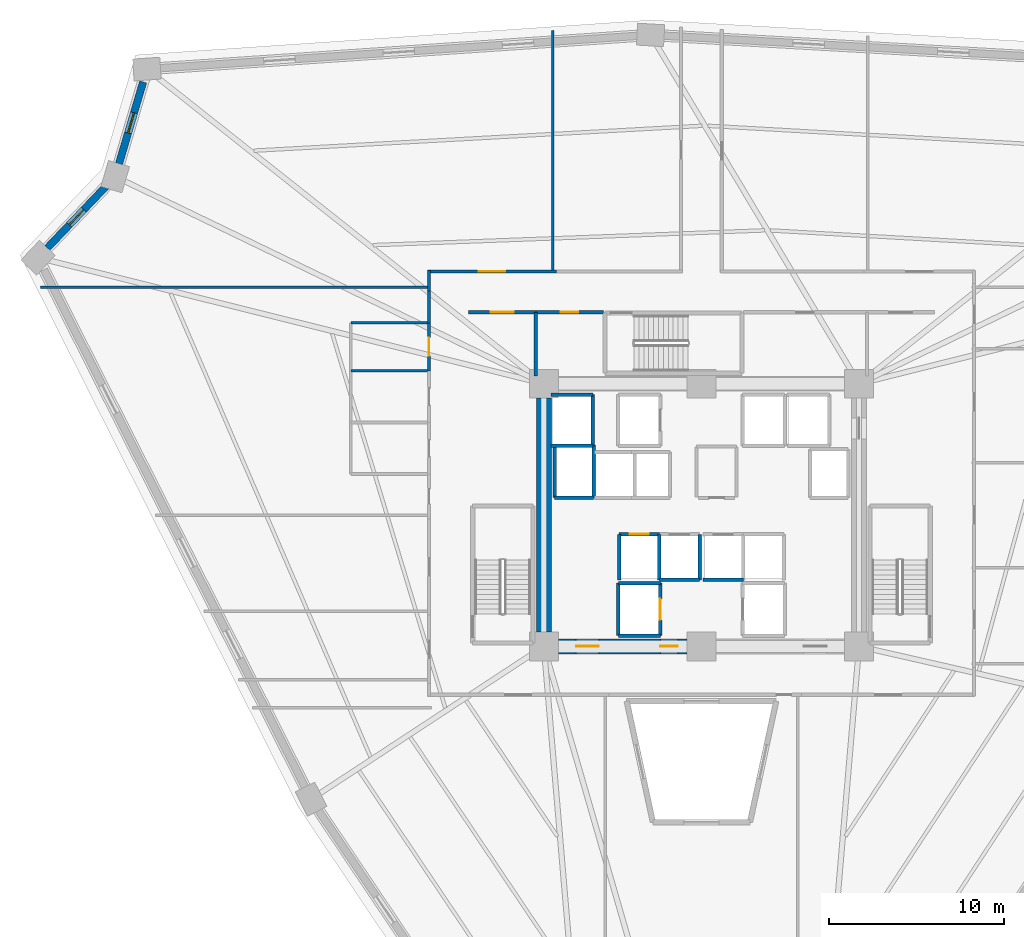
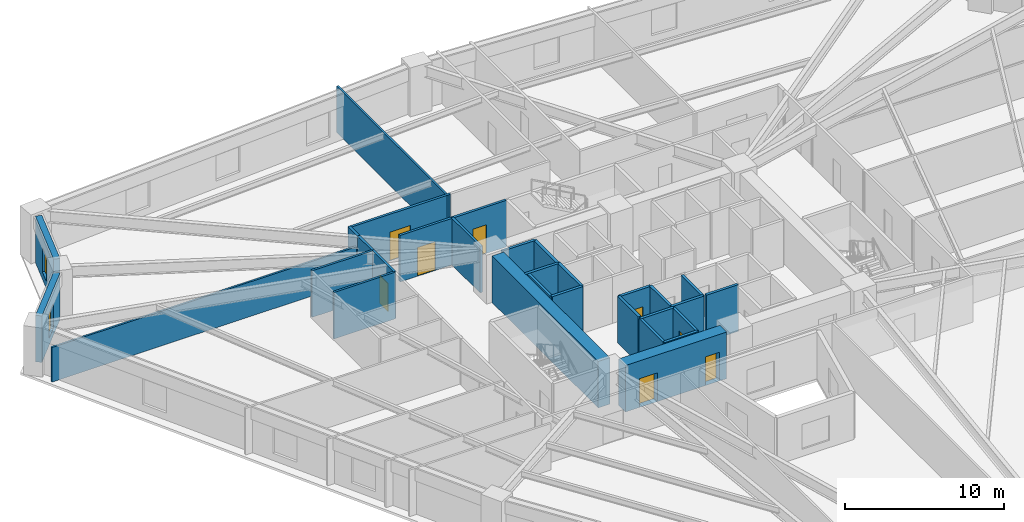
# One storey, part 4 of 9: 31 walls, 8 doors, 2 windows, 10 openings.
"""IFC4 building model written with IfcOpenShell, lengths in metres."""

from ifc_helpers import new_model, si_unit, direction, frame, frame_2d, origin, place, context, subcontext, project, spatial, rectangle, extrude, source, transform, mapped, material, layer, layer_set, type_object, element, fill, save


model = new_model("IFC4")

# Units and contexts
model_context = context("Model", 3, precision=1e-05, world=origin(), true_north=direction((0.0, 1.0)))
body_context = subcontext(model_context, "Body", "Model", "MODEL_VIEW")
ifc_project = project(units=[si_unit("LENGTHUNIT", "METRE"), si_unit("AREAUNIT", "SQUARE_METRE"), si_unit("VOLUMEUNIT", "CUBIC_METRE"), si_unit("PLANEANGLEUNIT", "RADIAN"), si_unit("MASSUNIT", "GRAM", prefix="KILO")], contexts=[model_context])

# Site, building, storey
site_placement = place(None, origin())
site = spatial("IfcSite", under=ifc_project, at=site_placement, CompositionType="ELEMENT")
building_placement = place(site_placement, origin())
building = spatial("IfcBuilding", under=site, at=building_placement, Name="Liaohun Quay Tower", CompositionType="ELEMENT")
storey_placement = place(building_placement, frame((0.0, 0.0, 74.25)))
storey = spatial("IfcBuildingStorey", under=building, at=storey_placement, Name="L19", CompositionType="ELEMENT", Elevation=74.25)

# Wall, openings, doors
ifc_material_1 = material(Name="Concrete C60", Category="concrete")
ifc_layer_1 = layer(ifc_material_1, 0.85009765625, Name="Concrete C60", Category="concrete")
ifc_layer_set_1 = layer_set([ifc_layer_1], Name="Concrete C60")
wall_type_1 = type_object("IfcWallType", Name="WAL-COR-Z1", PredefinedType="SHEAR", material=ifc_layer_set_1)
wall_1_placement = place(storey_placement, frame((59.175048828125, 46.5, 0.0), z_axis=(0.0, 0.0, 1.0), x_axis=(-1.0, 0.0, 0.0)))
wall_1 = element("IfcWall", 1, at=wall_1_placement, inside=storey, type_object=wall_type_1, Name="L19 Central Core Shear Wall S-W", PredefinedType="SHEAR", context=body_context, shape_type="SweptSolid", body=[
    extrude(rectangle(XDim=7.35009765625, YDim=0.85009765625, at=frame_2d((3.675048828125, 0.0))), origin(), (0.0, 0.0, 1.0), 3.570068359375),
])
shared_shape_1 = source(origin(), body_context, "Body", "SweptSolid", [
    extrude(rectangle(XDim=1.300048828125, YDim=2.199951171875, at=frame_2d((0.64990234375, 1.10009765625))), frame((0.0, 0.43505859375, 0.0), z_axis=(0.0, -1.0, 0.0), x_axis=(1.0, 0.0, 0.0)), (0.0, 0.0, 1.0), 0.8701171875),
])
opening_1_placement = place(wall_1_placement, frame((5.02490234375, 0.0, 0.0)))
opening_1 = element("IfcOpeningElement", 2, at=opening_1_placement, cuts=wall_1, Name="Opening FD1", PredefinedType="OPENING", context=body_context, shape_type="MappedRepresentation", body=[
    mapped(shared_shape_1, transform((0.0, 0.0, 0.0), x_axis=(1.0, 0.0, 0.0), y_axis=(0.0, 1.0, 0.0), z_axis=(0.0, 0.0, 1.0), scale=1.0)),
])
shared_shape_2 = source(origin(), body_context, "Body", "SweptSolid", [
    extrude(rectangle(XDim=1.0, YDim=2.199951171875, at=frame_2d((0.5, 1.10009765625))), frame((0.0, 0.43505859375, 0.0), z_axis=(0.0, -1.0, 0.0), x_axis=(1.0, 0.0, 0.0)), (0.0, 0.0, 1.0), 0.8701171875),
])
opening_2_placement = place(wall_1_placement, frame((0.52490234375, 0.0, 0.0)))
opening_2 = element("IfcOpeningElement", 3, at=opening_2_placement, cuts=wall_1, Name="Opening FD2", PredefinedType="OPENING", context=body_context, shape_type="MappedRepresentation", body=[
    mapped(shared_shape_2, transform((0.0, 0.0, 0.0), x_axis=(1.0, 0.0, 0.0), y_axis=(0.0, 1.0, 0.0), z_axis=(0.0, 0.0, 1.0), scale=1.0)),
])
ifc_material_2 = material(Name="Galvanised steel smokeproof fire door", Category="steel")
door_type_1 = type_object("IfcDoorType", Name="DOR-FFL-1300", OperationType="NOTDEFINED", PredefinedType="DOOR", material=ifc_material_2)
shared_shape_3 = source(origin(), body_context, "Body", "SweptSolid", [
    extrude(rectangle(XDim=1.300048828125, YDim=2.199951171875, at=frame_2d((0.64990234375, 1.10009765625))), frame((0.0, 0.02490234375, 0.0), z_axis=(0.0, -1.0, 0.0), x_axis=(1.0, 0.0, 0.0)), (0.0, 0.0, 1.0), 0.050048828125),
])
door_1_placement = place(opening_1_placement, origin())
door_1 = element("IfcDoor", 4, at=door_1_placement, inside=storey, type_object=door_type_1, Name="L19 West Core Lift Lobby Smokeproof Door", OperationType="SINGLE_SWING_RIGHT", OverallHeight=2.199951171875, OverallWidth=1.300048828125, PredefinedType="DOOR", context=body_context, shape_type="MappedRepresentation", body=[
    mapped(shared_shape_3, transform((0.0, 0.0, 0.0), x_axis=(1.0, 0.0, 0.0), y_axis=(0.0, 1.0, 0.0), z_axis=(0.0, 0.0, 1.0), scale=1.0)),
])
fill(opening_1, door_1)
ifc_material_3 = material(Name="Galvanised steel smokeproof lobby fire door", Category="steel")
door_type_2 = type_object("IfcDoorType", Name="DOR-FFL-1000", OperationType="NOTDEFINED", PredefinedType="DOOR", material=ifc_material_3)
shared_shape_4 = source(origin(), body_context, "Body", "SweptSolid", [
    extrude(rectangle(XDim=1.0, YDim=2.199951171875, at=frame_2d((0.5, 1.10009765625))), frame((0.0, 0.02490234375, 0.0), z_axis=(0.0, -1.0, 0.0), x_axis=(1.0, 0.0, 0.0)), (0.0, 0.0, 1.0), 0.050048828125),
])
door_2_placement = place(opening_2_placement, origin())
door_2 = element("IfcDoor", 5, at=door_2_placement, inside=storey, type_object=door_type_2, Name="L19 South Firefighting Lobby Smokeproof Door", OperationType="SINGLE_SWING_LEFT", OverallHeight=2.199951171875, OverallWidth=1.0, PredefinedType="DOOR", context=body_context, shape_type="MappedRepresentation", body=[
    mapped(shared_shape_4, transform((0.0, 0.0, 0.0), x_axis=(1.0, 0.0, 0.0), y_axis=(0.0, 1.0, 0.0), z_axis=(0.0, 0.0, 1.0), scale=1.0)),
])
fill(opening_2, door_2)

# Wall
wall_2_placement = place(storey_placement, frame((51.0, 47.324951171875, 0.0), z_axis=(0.0, 0.0, 1.0), x_axis=(0.0, 1.0, 0.0)))
element("IfcWall", 6, at=wall_2_placement, inside=storey, type_object=wall_type_1, Name="L19 Central Core Shear Wall W", PredefinedType="SHEAR", context=body_context, shape_type="SweptSolid", body=[
    extrude(rectangle(XDim=13.35009765625, YDim=0.85009765625, at=frame_2d((6.675048828125, 0.0))), origin(), (0.0, 0.0, 1.0), 3.570068359375),
])

# Wall, opening, window
ifc_material_4 = material(Name="Precast concrete C50 insulated sandwich", Category="concrete")
ifc_layer_2 = layer(ifc_material_4, 0.419921875, Name="Precast concrete C50 insulated sandwich", Category="concrete")
ifc_layer_set_2 = layer_set([ifc_layer_2], Name="Precast concrete C50 insulated sandwich")
wall_type_2 = type_object("IfcWallType", Name="WAL-EXT-Z12", PredefinedType="SOLIDWALL", material=ifc_layer_set_2)
wall_3_placement = place(storey_placement, frame((28.1201171875, 78.73291015625, 0.0), z_axis=(0.0, 0.0, 1.0), x_axis=(-0.282885215884, -0.959153770067, 0.0)))
wall_3 = element("IfcWall", 7, at=wall_3_placement, inside=storey, type_object=wall_type_2, Name="L19 Brutalist Precast Pier Wall 08", PredefinedType="SOLIDWALL", context=body_context, shape_type="SweptSolid", body=[
    extrude(rectangle(XDim=4.871826171875, YDim=0.419921875, at=frame_2d((2.43603515625, 0.0))), origin(), (0.0, 0.0, 1.0), 3.570068359375),
])
shared_shape_5 = source(origin(), body_context, "Body", "SweptSolid", [
    extrude(rectangle(XDim=1.199951171875, YDim=1.89990234375, at=frame_2d((0.60009765625, 0.949951171875))), frame((0.0, 0.219970703125, 0.0), z_axis=(0.0, -1.0, 0.0), x_axis=(1.0, 0.0, 0.0)), (0.0, 0.0, 1.0), 0.43994140625),
])
opening_3_placement = place(wall_3_placement, frame((1.8359375, 0.0, 0.550048828125)))
opening_3 = element("IfcOpeningElement", 8, at=opening_3_placement, cuts=wall_3, Name="Opening W05", PredefinedType="OPENING", context=body_context, shape_type="MappedRepresentation", body=[
    mapped(shared_shape_5, transform((0.0, 0.0, 0.0), x_axis=(1.0, 0.0, 0.0), y_axis=(0.0, 1.0, 0.0), z_axis=(0.0, 0.0, 1.0), scale=1.0)),
])
ifc_material_5 = material(Name="Triple Low-E corner notch glazing", Category="glass")
window_type = type_object("IfcWindowType", Name="WIN-NOTCH", PartitioningType="SINGLE_PANEL", PredefinedType="WINDOW", material=ifc_material_5)
shared_shape_6 = source(origin(), body_context, "Body", "SweptSolid", [
    extrude(rectangle(XDim=1.199951171875, YDim=1.89990234375, at=frame_2d((0.60009765625, 0.949951171875))), frame((0.0, 0.030029296875, 0.0), z_axis=(0.0, -1.0, 0.0), x_axis=(1.0, 0.0, 0.0)), (0.0, 0.0, 1.0), 0.06005859375),
])
window_1_placement = place(opening_3_placement, origin())
window_1 = element("IfcWindow", 9, at=window_1_placement, inside=storey, type_object=window_type, Name="L19 Corner Notch Window W05-08", OverallHeight=1.89990234375, OverallWidth=1.199951171875, PartitioningType="SINGLE_PANEL", PredefinedType="WINDOW", context=body_context, shape_type="MappedRepresentation", body=[
    mapped(shared_shape_6, transform((0.0, 0.0, 0.0), x_axis=(1.0, 0.0, 0.0), y_axis=(0.0, 1.0, 0.0), z_axis=(0.0, 0.0, 1.0), scale=1.0)),
])
fill(opening_3, window_1)

wall_4_placement = place(storey_placement, frame((25.9990234375, 72.77197265625, 0.0), z_axis=(0.0, 0.0, 1.0), x_axis=(-0.689326835279, -0.724450491175, 0.0)))
wall_4 = element("IfcWall", 10, at=wall_4_placement, inside=storey, type_object=wall_type_2, Name="L19 Brutalist Precast Pier Wall 09", PredefinedType="SOLIDWALL", context=body_context, shape_type="SweptSolid", body=[
    extrude(rectangle(XDim=4.86572265625, YDim=0.419921875, at=frame_2d((2.432861328125, 0.0))), origin(), (0.0, 0.0, 1.0), 3.570068359375),
])
opening_4_placement = place(wall_4_placement, frame((1.8330078125, 0.0, 0.550048828125)))
opening_4 = element("IfcOpeningElement", 11, at=opening_4_placement, cuts=wall_4, Name="Opening W05", PredefinedType="OPENING", context=body_context, shape_type="MappedRepresentation", body=[
    mapped(shared_shape_5, transform((0.0, 0.0, 0.0), x_axis=(1.0, 0.0, 0.0), y_axis=(0.0, 1.0, 0.0), z_axis=(0.0, 0.0, 1.0), scale=1.0)),
])
window_2_placement = place(opening_4_placement, origin())
window_2 = element("IfcWindow", 12, at=window_2_placement, inside=storey, type_object=window_type, Name="L19 Corner Notch Window W05-09", OverallHeight=1.89990234375, OverallWidth=1.199951171875, PartitioningType="SINGLE_PANEL", PredefinedType="WINDOW", context=body_context, shape_type="MappedRepresentation", body=[
    mapped(shared_shape_6, transform((0.0, 0.0, 0.0), x_axis=(1.0, 0.0, 0.0), y_axis=(0.0, 1.0, 0.0), z_axis=(0.0, 0.0, 1.0), scale=1.0)),
])
fill(opening_4, window_2)

# Wall, opening, door
ifc_material_6 = material(Name="Autoclaved aerated concrete blockwork", Category="masonry")
ifc_layer_3 = layer(ifc_material_6, 0.179931640625, Name="Autoclaved aerated concrete blockwork", Category="masonry")
ifc_layer_set_3 = layer_set([ifc_layer_3], Name="Autoclaved aerated concrete blockwork")
wall_type_3 = type_object("IfcWallType", Name="WAL-PRT-COR", PredefinedType="PARTITIONING", material=ifc_layer_set_3)
wall_5_placement = place(storey_placement, frame((50.5400390625, 65.580078125, 0.0), z_axis=(0.0, 0.0, 1.0), x_axis=(1.0, 0.0, 0.0)))
wall_5 = element("IfcWall", 13, at=wall_5_placement, inside=storey, type_object=wall_type_3, Name="L19 Interior Partition Wall 005", PredefinedType="PARTITIONING", context=body_context, shape_type="SweptSolid", body=[
    extrude(rectangle(XDim=3.869873046875, YDim=0.179931640625, at=frame_2d((1.93505859375, 0.0))), origin(), (0.0, 0.0, 1.0), 3.570068359375),
])
shared_shape_7 = source(origin(), body_context, "Body", "SweptSolid", [
    extrude(rectangle(XDim=1.0, YDim=2.199951171875, at=frame_2d((0.5, 1.10009765625))), frame((0.0, 0.099853515625, 0.0), z_axis=(0.0, -1.0, 0.0), x_axis=(1.0, 0.0, 0.0)), (0.0, 0.0, 1.0), 0.199951171875),
])
opening_5_placement = place(wall_5_placement, frame((1.43505859375, 0.0, 0.0)))
opening_5 = element("IfcOpeningElement", 14, at=opening_5_placement, cuts=wall_5, Name="Opening OD1", PredefinedType="OPENING", context=body_context, shape_type="MappedRepresentation", body=[
    mapped(shared_shape_7, transform((0.0, 0.0, 0.0), x_axis=(1.0, 0.0, 0.0), y_axis=(0.0, 1.0, 0.0), z_axis=(0.0, 0.0, 1.0), scale=1.0)),
])
ifc_material_7 = material(Name="Solid-core oak veneer timber leaf in steel frame", Category="steel")
door_type_3 = type_object("IfcDoorType", Name="DOR-OFF-1000", OperationType="NOTDEFINED", PredefinedType="DOOR", material=ifc_material_7)
door_3_placement = place(opening_5_placement, origin())
door_3 = element("IfcDoor", 15, at=door_3_placement, inside=storey, type_object=door_type_3, Name="L19 North-West Print and Telecom Room Door", OperationType="SINGLE_SWING_LEFT", OverallHeight=2.199951171875, OverallWidth=1.0, PredefinedType="DOOR", context=body_context, shape_type="MappedRepresentation", body=[
    mapped(shared_shape_4, transform((0.0, 0.0, 0.0), x_axis=(1.0, 0.0, 0.0), y_axis=(0.0, 1.0, 0.0), z_axis=(0.0, 0.0, 1.0), scale=1.0)),
])
fill(opening_5, door_3)

wall_6_placement = place(storey_placement, frame((46.699951171875, 65.580078125, 0.0), z_axis=(0.0, 0.0, 1.0), x_axis=(1.0, 0.0, 0.0)))
wall_6 = element("IfcWall", 16, at=wall_6_placement, inside=storey, type_object=wall_type_3, Name="L19 Interior Partition Wall 007", PredefinedType="PARTITIONING", context=body_context, shape_type="SweptSolid", body=[
    extrude(rectangle(XDim=3.840087890625, YDim=0.179931640625, at=frame_2d((1.919921875, 0.0))), origin(), (0.0, 0.0, 1.0), 3.570068359375),
])
shared_shape_8 = source(origin(), body_context, "Body", "SweptSolid", [
    extrude(rectangle(XDim=1.300048828125, YDim=2.199951171875, at=frame_2d((0.64990234375, 1.10009765625))), frame((0.0, 0.099853515625, 0.0), z_axis=(0.0, -1.0, 0.0), x_axis=(1.0, 0.0, 0.0)), (0.0, 0.0, 1.0), 0.199951171875),
])
opening_6_placement = place(wall_6_placement, frame((1.27001953125, 0.0, 0.0)))
opening_6 = element("IfcOpeningElement", 17, at=opening_6_placement, cuts=wall_6, Name="Opening FD1", PredefinedType="OPENING", context=body_context, shape_type="MappedRepresentation", body=[
    mapped(shared_shape_8, transform((0.0, 0.0, 0.0), x_axis=(1.0, 0.0, 0.0), y_axis=(0.0, 1.0, 0.0), z_axis=(0.0, 0.0, 1.0), scale=1.0)),
])
door_4_placement = place(opening_6_placement, origin())
door_4 = element("IfcDoor", 18, at=door_4_placement, inside=storey, type_object=door_type_1, Name="L19 West Core Vestibule Door", OperationType="SINGLE_SWING_LEFT", OverallHeight=2.199951171875, OverallWidth=1.300048828125, PredefinedType="DOOR", context=body_context, shape_type="MappedRepresentation", body=[
    mapped(shared_shape_3, transform((0.0, 0.0, 0.0), x_axis=(1.0, 0.0, 0.0), y_axis=(0.0, 1.0, 0.0), z_axis=(0.0, 0.0, 1.0), scale=1.0)),
])
fill(opening_6, door_4)

wall_7_placement = place(storey_placement, frame((44.3701171875, 67.909912109375, 0.0), z_axis=(0.0, 0.0, 1.0), x_axis=(1.0, 0.0, 0.0)))
wall_7 = element("IfcWall", 19, at=wall_7_placement, inside=storey, type_object=wall_type_3, Name="L19 Interior Partition Wall 015", PredefinedType="PARTITIONING", context=body_context, shape_type="SweptSolid", body=[
    extrude(rectangle(XDim=7.344970703125, YDim=0.179931640625, at=frame_2d((3.67236328125, 0.0))), origin(), (0.0, 0.0, 1.0), 3.570068359375),
])
shared_shape_9 = source(origin(), body_context, "Body", "SweptSolid", [
    extrude(rectangle(XDim=1.5, YDim=2.199951171875, at=frame_2d((0.75, 1.10009765625))), frame((0.0, 0.099853515625, 0.0), z_axis=(0.0, -1.0, 0.0), x_axis=(1.0, 0.0, 0.0)), (0.0, 0.0, 1.0), 0.199951171875),
])
opening_7_placement = place(wall_7_placement, frame((2.923095703125, 0.0, 0.0)))
opening_7 = element("IfcOpeningElement", 20, at=opening_7_placement, cuts=wall_7, Name="Opening OD2", PredefinedType="OPENING", context=body_context, shape_type="MappedRepresentation", body=[
    mapped(shared_shape_9, transform((0.0, 0.0, 0.0), x_axis=(1.0, 0.0, 0.0), y_axis=(0.0, 1.0, 0.0), z_axis=(0.0, 0.0, 1.0), scale=1.0)),
])
ifc_material_8 = material(Name="Acoustic oak veneer double door")
door_type_4 = type_object("IfcDoorType", Name="DOR-OFF-1500", OperationType="DOUBLE_DOOR_SINGLE_SWING", PredefinedType="DOOR", material=ifc_material_8)
shared_shape_10 = source(origin(), body_context, "Body", "SweptSolid", [
    extrude(rectangle(XDim=1.5, YDim=2.199951171875, at=frame_2d((0.75, 1.10009765625))), frame((0.0, 0.02490234375, 0.0), z_axis=(0.0, -1.0, 0.0), x_axis=(1.0, 0.0, 0.0)), (0.0, 0.0, 1.0), 0.050048828125),
])
door_5_placement = place(opening_7_placement, origin())
door_5 = element("IfcDoor", 21, at=door_5_placement, inside=storey, type_object=door_type_4, Name="L19 Architectural Design Studio 07 Door", OperationType="DOUBLE_DOOR_SINGLE_SWING", OverallHeight=2.199951171875, OverallWidth=1.5, PredefinedType="DOOR", context=body_context, shape_type="MappedRepresentation", body=[
    mapped(shared_shape_10, transform((0.0, 0.0, 0.0), x_axis=(1.0, 0.0, 0.0), y_axis=(0.0, 1.0, 0.0), z_axis=(0.0, 0.0, 1.0), scale=1.0)),
])
fill(opening_7, door_5)

# Walls
wall_8_placement = place(storey_placement, frame((50.5400390625, 61.949951171875, 0.0), z_axis=(0.0, 0.0, 1.0), x_axis=(0.0, 1.0, 0.0)))
element("IfcWall", 22, at=wall_8_placement, inside=storey, type_object=wall_type_3, Name="L19 Interior Partition Wall 031", PredefinedType="PARTITIONING", context=body_context, shape_type="SweptSolid", body=[
    extrude(rectangle(XDim=3.630126953125, YDim=0.179931640625, at=frame_2d((1.81494140625, 0.0))), origin(), (0.0, 0.0, 1.0), 3.570068359375),
])
wall_9_placement = place(storey_placement, frame((44.43994140625, 66.784912109375, 0.0), z_axis=(0.0, 0.0, 1.0), x_axis=(0.0, 1.0, 0.0)))
element("IfcWall", 23, at=wall_9_placement, inside=storey, type_object=wall_type_3, Name="L19 Interior Partition Wall 036", PredefinedType="PARTITIONING", context=body_context, shape_type="SweptSolid", body=[
    extrude(rectangle(XDim=1.195068359375, YDim=0.179931640625, at=frame_2d((0.59765625, 0.0))), origin(), (0.0, 0.0, 1.0), 3.570068359375),
])
wall_10_placement = place(storey_placement, frame((44.43994140625, 64.97998046875, 0.0), z_axis=(0.0, 0.0, 1.0), x_axis=(0.0, 1.0, 0.0)))
element("IfcWall", 24, at=wall_10_placement, inside=storey, type_object=wall_type_3, Name="L19 Interior Partition Wall 037", PredefinedType="PARTITIONING", context=body_context, shape_type="SweptSolid", body=[
    extrude(rectangle(XDim=1.804931640625, YDim=0.179931640625, at=frame_2d((0.90234375, 0.0))), origin(), (0.0, 0.0, 1.0), 3.570068359375),
])
ifc_material_9 = material(Name="Gypsum board on twin steel studs", Category="steel")
ifc_layer_4 = layer(ifc_material_9, 0.139892578125, Name="Gypsum board on twin steel studs", Category="steel")
ifc_layer_set_4 = layer_set([ifc_layer_4], Name="Gypsum board on twin steel studs")
wall_type_4 = type_object("IfcWallType", Name="WAL-PRT-OFF", PredefinedType="PARTITIONING", material=ifc_layer_set_4)
wall_11_placement = place(storey_placement, frame((44.5400390625, 67.0, 0.0), z_axis=(0.0, 0.0, 1.0), x_axis=(-1.0, 0.0, 0.0)))
element("IfcWall", 25, at=wall_11_placement, inside=storey, type_object=wall_type_4, Name="L19 Interior Partition Wall 044", PredefinedType="PARTITIONING", context=body_context, shape_type="SweptSolid", body=[
    extrude(rectangle(XDim=22.27392578125, YDim=0.139892578125, at=frame_2d((11.136962890625, 0.0))), origin(), (0.0, 0.0, 1.0), 2.655029296875),
])
wall_12_placement = place(storey_placement, frame((51.5, 67.81005859375, 0.0), z_axis=(0.0, 0.0, 1.0), x_axis=(0.0, 1.0, 0.0)))
element("IfcWall", 26, at=wall_12_placement, inside=storey, type_object=wall_type_4, Name="L19 Interior Partition Wall 050", PredefinedType="PARTITIONING", context=body_context, shape_type="SweptSolid", body=[
    extrude(rectangle(XDim=13.85986328125, YDim=0.139892578125, at=frame_2d((6.929931640625, 0.0))), origin(), (0.0, 0.0, 1.0), 3.570068359375),
])

# Wall, opening, door
ifc_material_10 = material(Name="Moisture-resistant masonry blockwork", Category="masonry")
ifc_layer_5 = layer(ifc_material_10, 0.159912109375, Name="Moisture-resistant masonry blockwork", Category="masonry")
ifc_layer_set_5 = layer_set([ifc_layer_5], Name="Moisture-resistant masonry blockwork")
wall_type_5 = type_object("IfcWallType", Name="WAL-PRT-WET", PredefinedType="PARTITIONING", material=ifc_layer_set_5)
wall_13_placement = place(storey_placement, frame((44.43994140625, 62.239990234375, 0.0), z_axis=(0.0, 0.0, 1.0), x_axis=(0.0, 1.0, 0.0)))
wall_13 = element("IfcWall", 27, at=wall_13_placement, inside=storey, type_object=wall_type_5, Name="L19 Interior Partition Wall 004", PredefinedType="PARTITIONING", context=body_context, shape_type="SweptSolid", body=[
    extrude(rectangle(XDim=2.739990234375, YDim=0.159912109375, at=frame_2d((1.3701171875, 0.0))), origin(), (0.0, 0.0, 1.0), 3.570068359375),
])
shared_shape_11 = source(origin(), body_context, "Body", "SweptSolid", [
    extrude(rectangle(XDim=1.050048828125, YDim=2.14990234375, at=frame_2d((0.52490234375, 1.074951171875))), frame((0.0, 0.08984375, 0.0), z_axis=(0.0, -1.0, 0.0), x_axis=(1.0, 0.0, 0.0)), (0.0, 0.0, 1.0), 0.179931640625),
])
opening_8_placement = place(wall_13_placement, frame((0.844970703125, 0.0, 0.0)))
opening_8 = element("IfcOpeningElement", 28, at=opening_8_placement, cuts=wall_13, Name="Opening WD2", PredefinedType="OPENING", context=body_context, shape_type="MappedRepresentation", body=[
    mapped(shared_shape_11, transform((0.0, 0.0, 0.0), x_axis=(1.0, 0.0, 0.0), y_axis=(0.0, 1.0, 0.0), z_axis=(0.0, 0.0, 1.0), scale=1.0)),
])
ifc_material_11 = material(Name="Accessible outward-swinging laminate door")
door_type_5 = type_object("IfcDoorType", Name="DOR-AWC-1050", OperationType="NOTDEFINED", PredefinedType="DOOR", material=ifc_material_11)
shared_shape_12 = source(origin(), body_context, "Body", "SweptSolid", [
    extrude(rectangle(XDim=1.050048828125, YDim=2.14990234375, at=frame_2d((0.52490234375, 1.074951171875))), frame((0.0, 0.02490234375, 0.0), z_axis=(0.0, -1.0, 0.0), x_axis=(1.0, 0.0, 0.0)), (0.0, 0.0, 1.0), 0.050048828125),
])
door_6_placement = place(opening_8_placement, origin())
door_6 = element("IfcDoor", 29, at=door_6_placement, inside=storey, type_object=door_type_5, Name="L19 Accessible WC Door", OperationType="SINGLE_SWING_RIGHT", OverallHeight=2.14990234375, OverallWidth=1.050048828125, PredefinedType="DOOR", context=body_context, shape_type="MappedRepresentation", body=[
    mapped(shared_shape_12, transform((0.0, 0.0, 0.0), x_axis=(1.0, 0.0, 0.0), y_axis=(0.0, 1.0, 0.0), z_axis=(0.0, 0.0, 1.0), scale=1.0)),
])
fill(opening_8, door_6)

# Walls
for number, where, z_axis, x_axis, name in (
    (30, (39.97998046875, 62.239990234375, 0.0), (0.0, 0.0, 1.0), (1.0, 0.0, 0.0), "L19 Interior Partition Wall 029"),
    (31, (39.97998046875, 64.97998046875, 0.0), (0.0, 0.0, 1.0), (1.0, 0.0, 0.0), "L19 Interior Partition Wall 030"),
):
    element("IfcWall", number, at=place(storey_placement, frame(where, z_axis=z_axis, x_axis=x_axis)), inside=storey, type_object=wall_type_5, Name=name, PredefinedType="PARTITIONING", context=body_context, shape_type="SweptSolid", body=[
        extrude(rectangle(XDim=4.4599609375, YDim=0.159912109375, at=frame_2d((2.22998046875, 0.0))), origin(), (0.0, 0.0, 1.0), 3.570068359375),
    ])
ifc_material_12 = material(Name="Concrete C50", Category="concrete")
ifc_layer_6 = layer(ifc_material_12, 0.239990234375, Name="Concrete C50", Category="concrete")
ifc_layer_set_6 = layer_set([ifc_layer_6], Name="Concrete C50")
wall_type_6 = type_object("IfcWallType", Name="WAL-SHF-200", PredefinedType="SOLIDWALL", material=ifc_layer_set_6)
wall_14_placement = place(storey_placement, frame((55.25, 47.1201171875, 0.0), z_axis=(0.0, 0.0, 1.0), x_axis=(1.0, 0.0, 0.0)))
element("IfcWall", 32, at=wall_14_placement, inside=storey, type_object=wall_type_6, Name="L19 Lift FF-01 Hoistway Wall S", PredefinedType="SOLIDWALL", context=body_context, shape_type="SweptSolid", body=[
    extrude(rectangle(XDim=2.39990234375, YDim=0.199951171875, at=frame_2d((1.199951171875, 0.0))), origin(), (0.0, 0.0, 1.0), 3.570068359375),
])

# Wall, opening, door
wall_15_placement = place(storey_placement, frame((57.64990234375, 47.1201171875, 0.0), z_axis=(0.0, 0.0, 1.0), x_axis=(0.0, 1.0, 0.0)))
wall_15 = element("IfcWall", 33, at=wall_15_placement, inside=storey, type_object=wall_type_6, Name="L19 Lift FF-01 Hoistway Wall E", PredefinedType="SOLIDWALL", context=body_context, shape_type="SweptSolid", body=[
    extrude(rectangle(XDim=3.0, YDim=0.199951171875, at=frame_2d((1.5, 0.0))), origin(), (0.0, 0.0, 1.0), 3.570068359375),
])
shared_shape_13 = source(origin(), body_context, "Body", "SweptSolid", [
    extrude(rectangle(XDim=1.199951171875, YDim=2.300048828125, at=frame_2d((0.60009765625, 1.14990234375))), frame((0.0, 0.10986328125, 0.0), z_axis=(0.0, -1.0, 0.0), x_axis=(1.0, 0.0, 0.0)), (0.0, 0.0, 1.0), 0.219970703125),
])
opening_9_placement = place(wall_15_placement, frame((0.89990234375, 0.0, 0.0)))
opening_9 = element("IfcOpeningElement", 34, at=opening_9_placement, cuts=wall_15, Name="Opening LD2", PredefinedType="OPENING", context=body_context, shape_type="MappedRepresentation", body=[
    mapped(shared_shape_13, transform((0.0, 0.0, 0.0), x_axis=(1.0, 0.0, 0.0), y_axis=(0.0, 1.0, 0.0), z_axis=(0.0, 0.0, 1.0), scale=1.0)),
])
ifc_material_13 = material(Name="Brushed stainless steel stretcher landing door", Category="steel")
door_type_6 = type_object("IfcDoorType", Name="DOR-LFT-1200", OperationType="SLIDING_TO_LEFT", PredefinedType="DOOR", material=ifc_material_13)
shared_shape_14 = source(origin(), body_context, "Body", "SweptSolid", [
    extrude(rectangle(XDim=1.199951171875, YDim=2.300048828125, at=frame_2d((0.60009765625, 1.14990234375))), frame((0.0, 0.02490234375, 0.0), z_axis=(0.0, -1.0, 0.0), x_axis=(1.0, 0.0, 0.0)), (0.0, 0.0, 1.0), 0.050048828125),
])
door_7_placement = place(opening_9_placement, origin())
door_7 = element("IfcDoor", 35, at=door_7_placement, inside=storey, type_object=door_type_6, Name="L19 Lift FF-01 Sliding Landing Door", OperationType="SLIDING_TO_LEFT", OverallHeight=2.300048828125, OverallWidth=1.199951171875, PredefinedType="DOOR", context=body_context, shape_type="MappedRepresentation", body=[
    mapped(shared_shape_14, transform((0.0, 0.0, 0.0), x_axis=(1.0, 0.0, 0.0), y_axis=(0.0, 1.0, 0.0), z_axis=(0.0, 0.0, 1.0), scale=1.0)),
])
fill(opening_9, door_7)

# Walls
wall_16_placement = place(storey_placement, frame((57.64990234375, 50.1201171875, 0.0), z_axis=(0.0, 0.0, 1.0), x_axis=(-1.0, 0.0, 0.0)))
element("IfcWall", 36, at=wall_16_placement, inside=storey, type_object=wall_type_6, Name="L19 Lift FF-01 Hoistway Wall N", PredefinedType="SOLIDWALL", context=body_context, shape_type="SweptSolid", body=[
    extrude(rectangle(XDim=2.39990234375, YDim=0.199951171875, at=frame_2d((1.199951171875, 0.0))), origin(), (0.0, 0.0, 1.0), 3.570068359375),
])
wall_17_placement = place(storey_placement, frame((55.25, 50.1201171875, 0.0), z_axis=(0.0, 0.0, 1.0), x_axis=(0.0, -1.0, 0.0)))
element("IfcWall", 37, at=wall_17_placement, inside=storey, type_object=wall_type_6, Name="L19 Lift FF-01 Hoistway Wall W", PredefinedType="SOLIDWALL", context=body_context, shape_type="SweptSolid", body=[
    extrude(rectangle(XDim=3.0, YDim=0.199951171875, at=frame_2d((1.5, 0.0))), origin(), (0.0, 0.0, 1.0), 3.570068359375),
])
wall_18_placement = place(storey_placement, frame((51.39990234375, 57.949951171875, 0.0), z_axis=(0.0, 0.0, 1.0), x_axis=(1.0, 0.0, 0.0)))
element("IfcWall", 38, at=wall_18_placement, inside=storey, type_object=wall_type_6, Name="L19 Lift SH-01 Hoistway Wall S", PredefinedType="SOLIDWALL", context=body_context, shape_type="SweptSolid", body=[
    extrude(rectangle(XDim=2.400146484375, YDim=0.199951171875, at=frame_2d((1.2001953125, 0.0))), origin(), (0.0, 0.0, 1.0), 3.570068359375),
])
wall_19_placement = place(storey_placement, frame((53.800048828125, 57.949951171875, 0.0), z_axis=(0.0, 0.0, 1.0), x_axis=(0.0, 1.0, 0.0)))
element("IfcWall", 39, at=wall_19_placement, inside=storey, type_object=wall_type_6, Name="L19 Lift SH-01 Hoistway Wall E", PredefinedType="SOLIDWALL", context=body_context, shape_type="SweptSolid", body=[
    extrude(rectangle(XDim=2.929931640625, YDim=0.199951171875, at=frame_2d((1.46484375, 0.0))), origin(), (0.0, 0.0, 1.0), 3.570068359375),
])
wall_20_placement = place(storey_placement, frame((53.800048828125, 60.8798828125, 0.0), z_axis=(0.0, 0.0, 1.0), x_axis=(-1.0, 0.0, 0.0)))
element("IfcWall", 40, at=wall_20_placement, inside=storey, type_object=wall_type_6, Name="L19 Lift SH-01 Hoistway Wall N", PredefinedType="SOLIDWALL", context=body_context, shape_type="SweptSolid", body=[
    extrude(rectangle(XDim=2.400146484375, YDim=0.199951171875, at=frame_2d((1.2001953125, 0.0))), origin(), (0.0, 0.0, 1.0), 3.570068359375),
])
wall_21_placement = place(storey_placement, frame((51.6201171875, 55.0, 0.0), z_axis=(0.0, 0.0, 1.0), x_axis=(1.0, 0.0, 0.0)))
element("IfcWall", 41, at=wall_21_placement, inside=storey, type_object=wall_type_6, Name="L19 Lift SH-02 Hoistway Wall S", PredefinedType="SOLIDWALL", context=body_context, shape_type="SweptSolid", body=[
    extrude(rectangle(XDim=2.22998046875, YDim=0.199951171875, at=frame_2d((1.114990234375, 0.0))), origin(), (0.0, 0.0, 1.0), 3.570068359375),
])
for number, where, z_axis, x_axis, name in (
    (42, (53.85009765625, 55.0, 0.0), (0.0, 0.0, 1.0), (0.0, 1.0, 0.0), "L19 Lift SH-02 Hoistway Wall E"),
    (43, (51.6201171875, 58.0, 0.0), (0.0, 0.0, 1.0), (0.0, -1.0, 0.0), "L19 Lift SH-02 Hoistway Wall W"),
):
    element("IfcWall", number, at=place(storey_placement, frame(where, z_axis=z_axis, x_axis=x_axis)), inside=storey, type_object=wall_type_6, Name=name, PredefinedType="SOLIDWALL", context=body_context, shape_type="SweptSolid", body=[
        extrude(rectangle(XDim=3.0, YDim=0.199951171875, at=frame_2d((1.5, 0.0))), origin(), (0.0, 0.0, 1.0), 3.570068359375),
    ])
wall_22_placement = place(storey_placement, frame((57.60009765625, 50.300048828125, 0.0), z_axis=(0.0, 0.0, 1.0), x_axis=(0.0, 1.0, 0.0)))
element("IfcWall", 44, at=wall_22_placement, inside=storey, type_object=wall_type_6, Name="L19 Lift PL-1A Hoistway Wall E", PredefinedType="SOLIDWALL", context=body_context, shape_type="SweptSolid", body=[
    extrude(rectangle(XDim=2.599853515625, YDim=0.199951171875, at=frame_2d((1.2998046875, 0.0))), origin(), (0.0, 0.0, 1.0), 3.570068359375),
])

# Wall, opening, door
wall_23_placement = place(storey_placement, frame((57.60009765625, 52.89990234375, 0.0), z_axis=(0.0, 0.0, 1.0), x_axis=(-1.0, 0.0, 0.0)))
wall_23 = element("IfcWall", 45, at=wall_23_placement, inside=storey, type_object=wall_type_6, Name="L19 Lift PL-1A Hoistway Wall N", PredefinedType="SOLIDWALL", context=body_context, shape_type="SweptSolid", body=[
    extrude(rectangle(XDim=2.300048828125, YDim=0.199951171875, at=frame_2d((1.14990234375, 0.0))), origin(), (0.0, 0.0, 1.0), 3.570068359375),
])
shared_shape_15 = source(origin(), body_context, "Body", "SweptSolid", [
    extrude(rectangle(XDim=1.10009765625, YDim=2.199951171875, at=frame_2d((0.550048828125, 1.10009765625))), frame((0.0, 0.10986328125, 0.0), z_axis=(0.0, -1.0, 0.0), x_axis=(1.0, 0.0, 0.0)), (0.0, 0.0, 1.0), 0.219970703125),
])
opening_10_placement = place(wall_23_placement, frame((0.60009765625, 0.0, 0.0)))
opening_10 = element("IfcOpeningElement", 46, at=opening_10_placement, cuts=wall_23, Name="Opening LD1", PredefinedType="OPENING", context=body_context, shape_type="MappedRepresentation", body=[
    mapped(shared_shape_15, transform((0.0, 0.0, 0.0), x_axis=(1.0, 0.0, 0.0), y_axis=(0.0, 1.0, 0.0), z_axis=(0.0, 0.0, 1.0), scale=1.0)),
])
ifc_material_14 = material(Name="Brushed stainless steel landing door", Category="steel")
door_type_7 = type_object("IfcDoorType", Name="DOR-LFT-1100", OperationType="SLIDING_TO_LEFT", PredefinedType="DOOR", material=ifc_material_14)
shared_shape_16 = source(origin(), body_context, "Body", "SweptSolid", [
    extrude(rectangle(XDim=1.10009765625, YDim=2.199951171875, at=frame_2d((0.550048828125, 1.10009765625))), frame((0.0, 0.02490234375, 0.0), z_axis=(0.0, -1.0, 0.0), x_axis=(1.0, 0.0, 0.0)), (0.0, 0.0, 1.0), 0.050048828125),
])
door_8_placement = place(opening_10_placement, origin())
door_8 = element("IfcDoor", 47, at=door_8_placement, inside=storey, type_object=door_type_7, Name="L19 Lift PL-1A Sliding Landing Door", OperationType="SLIDING_TO_LEFT", OverallHeight=2.199951171875, OverallWidth=1.10009765625, PredefinedType="DOOR", context=body_context, shape_type="MappedRepresentation", body=[
    mapped(shared_shape_16, transform((0.0, 0.0, 0.0), x_axis=(1.0, 0.0, 0.0), y_axis=(0.0, 1.0, 0.0), z_axis=(0.0, 0.0, 1.0), scale=1.0)),
])
fill(opening_10, door_8)

# Walls
wall_24_placement = place(storey_placement, frame((55.300048828125, 52.89990234375, 0.0), z_axis=(0.0, 0.0, 1.0), x_axis=(0.0, -1.0, 0.0)))
element("IfcWall", 48, at=wall_24_placement, inside=storey, type_object=wall_type_6, Name="L19 Lift PL-1A Hoistway Wall W", PredefinedType="SOLIDWALL", context=body_context, shape_type="SweptSolid", body=[
    extrude(rectangle(XDim=2.599853515625, YDim=0.199951171875, at=frame_2d((1.2998046875, 0.0))), origin(), (0.0, 0.0, 1.0), 3.570068359375),
])
wall_25_placement = place(storey_placement, frame((57.60009765625, 50.300048828125, 0.0), z_axis=(0.0, 0.0, 1.0), x_axis=(1.0, 0.0, 0.0)))
element("IfcWall", 49, at=wall_25_placement, inside=storey, type_object=wall_type_6, Name="L19 Lift PL-1B Hoistway Wall S", PredefinedType="SOLIDWALL", context=body_context, shape_type="SweptSolid", body=[
    extrude(rectangle(XDim=2.2998046875, YDim=0.199951171875, at=frame_2d((1.14990234375, 0.0))), origin(), (0.0, 0.0, 1.0), 3.570068359375),
])
wall_26_placement = place(storey_placement, frame((59.89990234375, 50.300048828125, 0.0), z_axis=(0.0, 0.0, 1.0), x_axis=(0.0, 1.0, 0.0)))
element("IfcWall", 50, at=wall_26_placement, inside=storey, type_object=wall_type_6, Name="L19 Lift PL-1B Hoistway Wall E", PredefinedType="SOLIDWALL", context=body_context, shape_type="SweptSolid", body=[
    extrude(rectangle(XDim=2.599853515625, YDim=0.199951171875, at=frame_2d((1.2998046875, 0.0))), origin(), (0.0, 0.0, 1.0), 3.570068359375),
])
wall_27_placement = place(storey_placement, frame((60.10009765625, 50.300048828125, 0.0), z_axis=(0.0, 0.0, 1.0), x_axis=(1.0, 0.0, 0.0)))
element("IfcWall", 51, at=wall_27_placement, inside=storey, type_object=wall_type_6, Name="L19 Lift PL-1C Hoistway Wall S", PredefinedType="SOLIDWALL", context=body_context, shape_type="SweptSolid", body=[
    extrude(rectangle(XDim=2.2998046875, YDim=0.199951171875, at=frame_2d((1.14990234375, 0.0))), origin(), (0.0, 0.0, 1.0), 3.570068359375),
])

save(model, "model.ifc")
